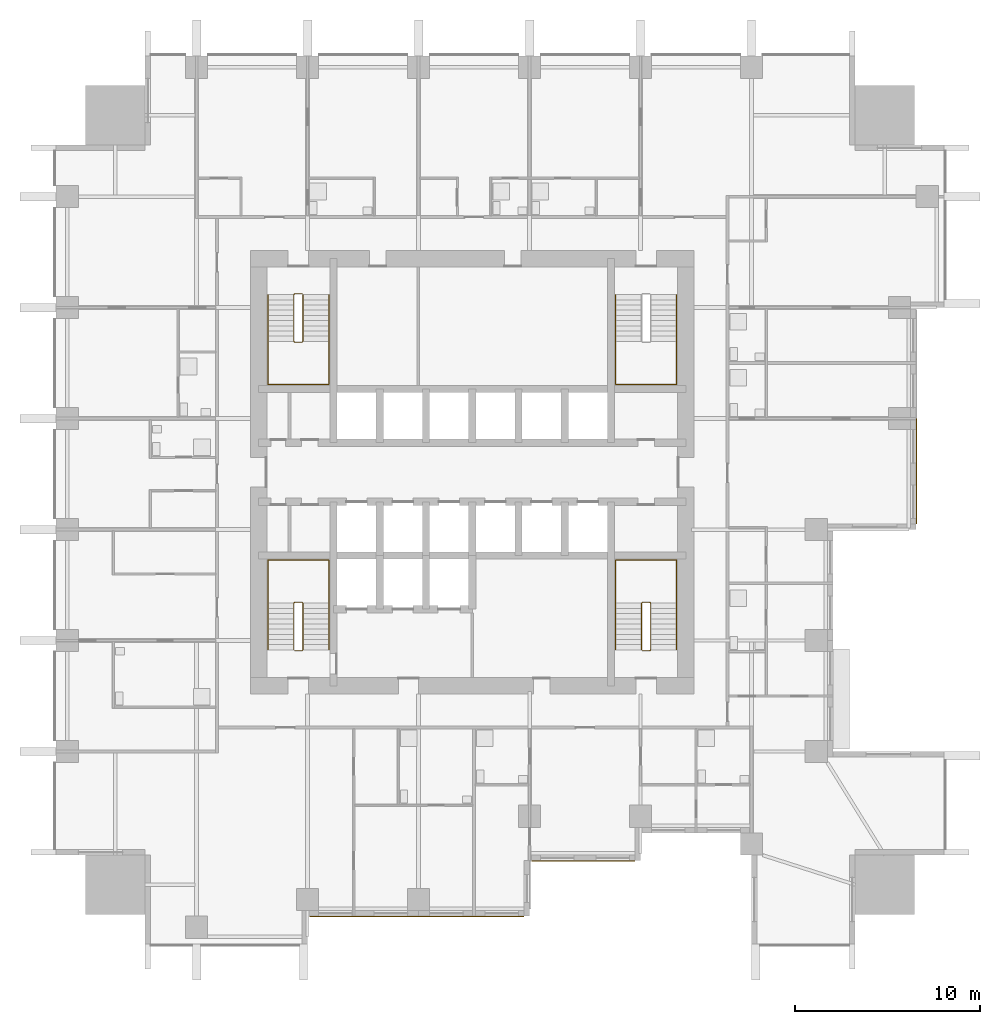
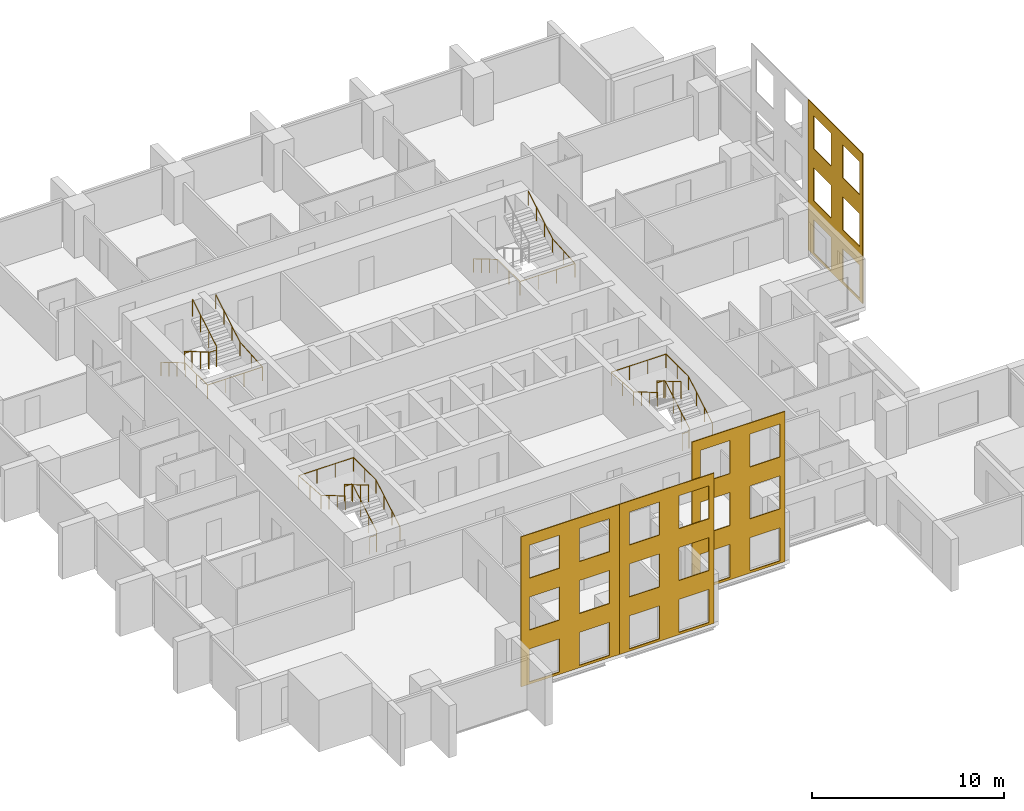
# One storey, part 9 of 11: 7 railings, 4 coverings.
"""IFC4 building model written with IfcOpenShell, lengths in metres."""

from ifc_helpers import new_model, si_unit, direction, frame, origin, origin_2d, place, context, subcontext, project, spatial, polyline, circle, outline, extrude, material, layer, layer_set, type_object, element, save


model = new_model("IFC4")

# Units and contexts
model_context = context("Model", 3, precision=1e-05, world=origin(), true_north=direction((0.0, 1.0)))
body_context = subcontext(model_context, "Body", "Model", "MODEL_VIEW")
ifc_project = project(units=[si_unit("LENGTHUNIT", "METRE"), si_unit("AREAUNIT", "SQUARE_METRE"), si_unit("VOLUMEUNIT", "CUBIC_METRE"), si_unit("PLANEANGLEUNIT", "RADIAN"), si_unit("MASSUNIT", "GRAM", prefix="KILO")], contexts=[model_context])

# Site, building, storey
site_placement = place(None, origin())
site = spatial("IfcSite", under=ifc_project, at=site_placement, CompositionType="ELEMENT")
building_placement = place(site_placement, origin())
building = spatial("IfcBuilding", under=site, at=building_placement, Name="Amberfall Residences", CompositionType="ELEMENT")
storey_placement = place(building_placement, frame((0.0, 0.0, 59.800048828125)))
storey = spatial("IfcBuildingStorey", under=building, at=storey_placement, Name="L16", CompositionType="ELEMENT", Elevation=59.800048828125)

# Coverings
ifc_material_1 = material(Name="Pale limestone cladding", Category="masonry")
ifc_layer = layer(ifc_material_1, 0.050048828125)
ifc_layer_set = layer_set([ifc_layer], Name="Limestone fascia 50")
covering_type = type_object("IfcCoveringType", Name="Limestone fascia 50", PredefinedType="CLADDING", material=ifc_layer_set)
covering_1_placement = place(storey_placement, frame((65.68994140625, 21.5, 9.550048828125), z_axis=(0.0, 1.0, 0.0), x_axis=(1.0, 0.0, 0.0)))
element("IfcCovering", 1, at=covering_1_placement, inside=storey, type_object=covering_type, Name="Pale limestone cladding L16-L18 S", PredefinedType="CLADDING", context=body_context, shape_type="SweptSolid", body=[
    extrude(outline(polyline([(0.0, 0.0), (5.91015625, 0.0), (5.91015625, 9.550048828125), (0.0, 9.550048828125), (0.0, 0.0)]), holes=[polyline([(0.510009765625, 7.300048828125), (2.31005859375, 7.300048828125), (2.31005859375, 9.400146484375), (0.510009765625, 9.400146484375), (0.510009765625, 7.300048828125)]), polyline([(3.510009765625, 7.300048828125), (5.31005859375, 7.300048828125), (5.31005859375, 9.400146484375), (3.510009765625, 9.400146484375), (3.510009765625, 7.300048828125)]), polyline([(0.510009765625, 4.0), (2.31005859375, 4.0), (2.31005859375, 6.10009765625), (0.510009765625, 6.10009765625), (0.510009765625, 4.0)]), polyline([(3.510009765625, 4.0), (5.31005859375, 4.0), (5.31005859375, 6.10009765625), (3.510009765625, 6.10009765625), (3.510009765625, 4.0)]), polyline([(0.510009765625, 0.7001953125), (2.31005859375, 0.7001953125), (2.31005859375, 2.800048828125), (0.510009765625, 2.800048828125), (0.510009765625, 0.7001953125)]), polyline([(3.510009765625, 0.7001953125), (5.31005859375, 0.7001953125), (5.31005859375, 2.800048828125), (3.510009765625, 2.800048828125), (3.510009765625, 0.7001953125)])]), origin(), (0.0, 0.0, -1.0), 0.050048828125),
])
covering_2_placement = place(storey_placement, frame((71.60009765625, 21.5, 9.550048828125), z_axis=(0.0, 1.0, 0.0), x_axis=(1.0, 0.0, 0.0)))
element("IfcCovering", 2, at=covering_2_placement, inside=storey, type_object=covering_type, Name="Pale limestone cladding L16-L18 S", PredefinedType="CLADDING", context=body_context, shape_type="SweptSolid", body=[
    extrude(outline(polyline([(0.0, 0.0), (5.699951171875, 0.0), (5.699951171875, 9.550048828125), (0.0, 9.550048828125), (0.0, 0.0)]), holes=[polyline([(0.599853515625, 7.300048828125), (2.39990234375, 7.300048828125), (2.39990234375, 9.400146484375), (0.599853515625, 9.400146484375), (0.599853515625, 7.300048828125)]), polyline([(3.599853515625, 7.300048828125), (5.39990234375, 7.300048828125), (5.39990234375, 9.400146484375), (3.599853515625, 9.400146484375), (3.599853515625, 7.300048828125)]), polyline([(0.599853515625, 4.0), (2.39990234375, 4.0), (2.39990234375, 6.10009765625), (0.599853515625, 6.10009765625), (0.599853515625, 4.0)]), polyline([(3.599853515625, 4.0), (5.39990234375, 4.0), (5.39990234375, 6.10009765625), (3.599853515625, 6.10009765625), (3.599853515625, 4.0)]), polyline([(0.599853515625, 0.7001953125), (2.39990234375, 0.7001953125), (2.39990234375, 2.800048828125), (0.599853515625, 2.800048828125), (0.599853515625, 0.7001953125)]), polyline([(3.599853515625, 0.7001953125), (5.39990234375, 0.7001953125), (5.39990234375, 2.800048828125), (3.599853515625, 2.800048828125), (3.599853515625, 0.7001953125)])]), origin(), (0.0, 0.0, -1.0), 0.050048828125),
])
covering_3_placement = place(storey_placement, frame((98.5, 42.699951171875, 9.550048828125), z_axis=(-1.0, 0.0, 0.0), x_axis=(0.0, 1.0, 0.0)))
element("IfcCovering", 3, at=covering_3_placement, inside=storey, type_object=covering_type, Name="Pale limestone cladding L16-L18 E", PredefinedType="CLADDING", context=body_context, shape_type="SweptSolid", body=[
    extrude(outline(polyline([(0.0, 0.0), (5.699951171875, 0.0), (5.699951171875, 9.550048828125), (0.0, 9.550048828125), (0.0, 0.0)]), holes=[polyline([(0.300048828125, 7.300048828125), (2.10009765625, 7.300048828125), (2.10009765625, 9.400146484375), (0.300048828125, 9.400146484375), (0.300048828125, 7.300048828125)]), polyline([(3.300048828125, 7.300048828125), (5.10009765625, 7.300048828125), (5.10009765625, 9.400146484375), (3.300048828125, 9.400146484375), (3.300048828125, 7.300048828125)]), polyline([(0.300048828125, 4.0), (2.10009765625, 4.0), (2.10009765625, 6.10009765625), (0.300048828125, 6.10009765625), (0.300048828125, 4.0)]), polyline([(3.300048828125, 4.0), (5.10009765625, 4.0), (5.10009765625, 6.10009765625), (3.300048828125, 6.10009765625), (3.300048828125, 4.0)]), polyline([(0.300048828125, 0.7001953125), (2.10009765625, 0.7001953125), (2.10009765625, 2.800048828125), (0.300048828125, 2.800048828125), (0.300048828125, 0.7001953125)]), polyline([(3.300048828125, 0.7001953125), (5.10009765625, 0.7001953125), (5.10009765625, 2.800048828125), (3.300048828125, 2.800048828125), (3.300048828125, 0.7001953125)])]), origin(), (0.0, 0.0, -1.0), 0.050048828125),
])
covering_4_placement = place(storey_placement, frame((77.68994140625, 24.5, 9.550048828125), z_axis=(0.0, 1.0, 0.0), x_axis=(1.0, 0.0, 0.0)))
element("IfcCovering", 4, at=covering_4_placement, inside=storey, type_object=covering_type, Name="Pale limestone cladding L16-L18 S", PredefinedType="CLADDING", context=body_context, shape_type="SweptSolid", body=[
    extrude(outline(polyline([(0.0, 0.0), (5.610107421875, 0.0), (5.610107421875, 9.550048828125), (0.0, 9.550048828125), (0.0, 0.0)]), holes=[polyline([(0.510009765625, 7.300048828125), (2.31005859375, 7.300048828125), (2.31005859375, 9.400146484375), (0.510009765625, 9.400146484375), (0.510009765625, 7.300048828125)]), polyline([(3.510009765625, 7.300048828125), (5.31005859375, 7.300048828125), (5.31005859375, 9.400146484375), (3.510009765625, 9.400146484375), (3.510009765625, 7.300048828125)]), polyline([(0.510009765625, 4.0), (2.31005859375, 4.0), (2.31005859375, 6.10009765625), (0.510009765625, 6.10009765625), (0.510009765625, 4.0)]), polyline([(3.510009765625, 4.0), (5.31005859375, 4.0), (5.31005859375, 6.10009765625), (3.510009765625, 6.10009765625), (3.510009765625, 4.0)]), polyline([(0.510009765625, 0.7001953125), (2.31005859375, 0.7001953125), (2.31005859375, 2.800048828125), (0.510009765625, 2.800048828125), (0.510009765625, 0.7001953125)]), polyline([(3.510009765625, 0.7001953125), (5.31005859375, 0.7001953125), (5.31005859375, 2.800048828125), (3.510009765625, 2.800048828125), (3.510009765625, 0.7001953125)])]), origin(), (0.0, 0.0, -1.0), 0.050048828125),
])

# Railings
ifc_material_2 = material(Name="Stainless steel 316", Category="steel")
railing_type_1 = type_object("IfcRailingType", Name="Stair guard 1100", PredefinedType="GUARDRAIL", material=ifc_material_2)
railing_1_placement = place(storey_placement, frame((64.89990234375, 35.85009765625, 0.0)))
element("IfcRailing", 5, at=railing_1_placement, inside=storey, type_object=railing_type_1, Name="L16 stair 1 guard", PredefinedType="GUARDRAIL", context=body_context, shape_type="SweptSolid", body=[
    extrude(circle(Radius=0.02392578125, at=origin_2d()), frame((0.0, 0.0, 1.076171875), z_axis=(1.0, 0.0, 0.0), x_axis=(0.0, 1.0, 0.0)), (0.0, 0.0, 1.0), 0.400146484375),
    extrude(circle(Radius=0.02392578125, at=origin_2d()), frame((0.400146484375, 0.0, 1.076171875), z_axis=(0.278810427259, 0.277450376394, 0.919394384522), x_axis=(-0.705375805398, 0.708833529934, 0.0)), (0.0, 0.0, 1.0), 0.179443359375),
    extrude(circle(Radius=0.02392578125, at=origin_2d()), frame((0.4501953125, 0.0498046875, 1.2412109375), z_axis=(0.0, 0.861560626758, 0.507654692109), x_axis=(-1.0, 0.0, 0.0)), (0.0, 0.0, 1.0), 2.925048828125),
    extrude(circle(Radius=0.02392578125, at=origin_2d()), frame((0.4501953125, 2.56982421875, 2.72607421875), z_axis=(-0.707106781187, 0.707106781187, 0.0), x_axis=(-0.707106781187, -0.707106781187, 0.0)), (0.0, 0.0, 1.0), 0.07080078125),
    extrude(circle(Radius=0.02392578125, at=origin_2d()), frame((0.400146484375, 2.619873046875, 2.72607421875), z_axis=(-1.0, 0.0, 0.0), x_axis=(0.0, -1.0, 0.0)), (0.0, 0.0, 1.0), 0.400146484375),
    extrude(circle(Radius=0.02392578125, at=origin_2d()), frame((0.0, 2.619873046875, 2.72607421875), z_axis=(-0.277450376394, -0.278810427259, 0.919394384522), x_axis=(0.708833529934, -0.705375805398, 0.0)), (0.0, 0.0, 1.0), 0.179443359375),
    extrude(circle(Radius=0.02392578125, at=origin_2d()), frame((-0.0498046875, 2.56982421875, 2.89111328125), z_axis=(0.0, -0.86152411907, 0.507716645641), x_axis=(1.0, 0.0, 0.0)), (0.0, 0.0, 1.0), 2.925048828125),
    extrude(circle(Radius=0.02099609375, at=origin_2d()), origin(), (0.0, 0.0, 1.0), 1.052001953125),
    extrude(circle(Radius=0.02099609375, at=origin_2d()), frame((0.400146484375, 0.0, 0.0)), (0.0, 0.0, 1.0), 1.052001953125),
    extrude(circle(Radius=0.02099609375, at=origin_2d()), frame((0.4501953125, 0.0498046875, 0.1650390625)), (0.0, 0.0, 1.0), 1.052001953125),
    extrude(circle(Radius=0.02099609375, at=origin_2d()), frame((0.4501953125, 0.889892578125, 0.659912109375)), (0.0, 0.0, 1.0), 1.052001953125),
    extrude(circle(Radius=0.02099609375, at=origin_2d()), frame((0.4501953125, 1.729736328125, 1.155029296875)), (0.0, 0.0, 1.0), 1.052001953125),
    extrude(circle(Radius=0.02099609375, at=origin_2d()), frame((0.4501953125, 2.56982421875, 1.64990234375)), (0.0, 0.0, 1.0), 1.052001953125),
    extrude(circle(Radius=0.02099609375, at=origin_2d()), frame((0.400146484375, 2.619873046875, 1.64990234375)), (0.0, 0.0, 1.0), 1.052001953125),
    extrude(circle(Radius=0.02099609375, at=origin_2d()), frame((0.0, 2.619873046875, 1.64990234375)), (0.0, 0.0, 1.0), 1.052001953125),
    extrude(circle(Radius=0.02099609375, at=origin_2d()), frame((-0.0498046875, 2.56982421875, 1.81494140625)), (0.0, 0.0, 1.0), 1.052001953125),
    extrude(circle(Radius=0.02099609375, at=origin_2d()), frame((-0.0498046875, 1.729736328125, 2.31005859375)), (0.0, 0.0, 1.0), 1.052001953125),
    extrude(circle(Radius=0.02099609375, at=origin_2d()), frame((-0.0498046875, 0.889892578125, 2.804931640625)), (0.0, 0.0, 1.0), 1.052001953125),
    extrude(circle(Radius=0.02099609375, at=origin_2d()), frame((-0.0498046875, 0.0498046875, 3.300048828125)), (0.0, 0.0, 1.0), 1.052001953125),
])
railing_2_placement = place(storey_placement, frame((83.699951171875, 35.85009765625, 0.0)))
element("IfcRailing", 6, at=railing_2_placement, inside=storey, type_object=railing_type_1, Name="L16 stair 2 guard", PredefinedType="GUARDRAIL", context=body_context, shape_type="SweptSolid", body=[
    extrude(circle(Radius=0.02392578125, at=origin_2d()), frame((0.0, 0.0, 1.076171875), z_axis=(1.0, 0.0, 0.0), x_axis=(0.0, 1.0, 0.0)), (0.0, 0.0, 1.0), 0.400146484375),
    extrude(circle(Radius=0.02392578125, at=origin_2d()), frame((0.400146484375, 0.0, 1.076171875), z_axis=(0.27755538755, 0.27755538755, 0.919742362667), x_axis=(-0.707106781187, 0.707106781187, 0.0)), (0.0, 0.0, 1.0), 0.179443359375),
    extrude(circle(Radius=0.02392578125, at=origin_2d()), frame((0.449951171875, 0.0498046875, 1.2412109375), z_axis=(0.0, 0.861560626758, 0.507654692109), x_axis=(-1.0, 0.0, 0.0)), (0.0, 0.0, 1.0), 2.925048828125),
    extrude(circle(Radius=0.02392578125, at=origin_2d()), frame((0.449951171875, 2.56982421875, 2.72607421875), z_axis=(-0.705375805398, 0.708833529934, 0.0), x_axis=(-0.708833529934, -0.705375805398, 0.0)), (0.0, 0.0, 1.0), 0.070556640625),
    extrude(circle(Radius=0.02392578125, at=origin_2d()), frame((0.400146484375, 2.619873046875, 2.72607421875), z_axis=(-1.0, 0.0, 0.0), x_axis=(0.0, -1.0, 0.0)), (0.0, 0.0, 1.0), 0.400146484375),
    extrude(circle(Radius=0.02392578125, at=origin_2d()), frame((0.0, 2.619873046875, 2.72607421875), z_axis=(-0.278705021027, -0.278705021027, 0.919046801044), x_axis=(0.707106781187, -0.707106781187, 0.0)), (0.0, 0.0, 1.0), 0.1796875),
    extrude(circle(Radius=0.02392578125, at=origin_2d()), frame((-0.050048828125, 2.56982421875, 2.89111328125), z_axis=(0.0, -0.86152411907, 0.507716645641), x_axis=(1.0, 0.0, 0.0)), (0.0, 0.0, 1.0), 2.925048828125),
    extrude(circle(Radius=0.02099609375, at=origin_2d()), origin(), (0.0, 0.0, 1.0), 1.052001953125),
    extrude(circle(Radius=0.02099609375, at=origin_2d()), frame((0.400146484375, 0.0, 0.0)), (0.0, 0.0, 1.0), 1.052001953125),
    extrude(circle(Radius=0.02099609375, at=origin_2d()), frame((0.449951171875, 0.0498046875, 0.1650390625)), (0.0, 0.0, 1.0), 1.052001953125),
    extrude(circle(Radius=0.02099609375, at=origin_2d()), frame((0.449951171875, 0.889892578125, 0.659912109375)), (0.0, 0.0, 1.0), 1.052001953125),
    extrude(circle(Radius=0.02099609375, at=origin_2d()), frame((0.449951171875, 1.729736328125, 1.155029296875)), (0.0, 0.0, 1.0), 1.052001953125),
    extrude(circle(Radius=0.02099609375, at=origin_2d()), frame((0.449951171875, 2.56982421875, 1.64990234375)), (0.0, 0.0, 1.0), 1.052001953125),
    extrude(circle(Radius=0.02099609375, at=origin_2d()), frame((0.400146484375, 2.619873046875, 1.64990234375)), (0.0, 0.0, 1.0), 1.052001953125),
    extrude(circle(Radius=0.02099609375, at=origin_2d()), frame((0.0, 2.619873046875, 1.64990234375)), (0.0, 0.0, 1.0), 1.052001953125),
    extrude(circle(Radius=0.02099609375, at=origin_2d()), frame((-0.050048828125, 2.56982421875, 1.81494140625)), (0.0, 0.0, 1.0), 1.052001953125),
    extrude(circle(Radius=0.02099609375, at=origin_2d()), frame((-0.050048828125, 1.729736328125, 2.31005859375)), (0.0, 0.0, 1.0), 1.052001953125),
    extrude(circle(Radius=0.02099609375, at=origin_2d()), frame((-0.050048828125, 0.889892578125, 2.804931640625)), (0.0, 0.0, 1.0), 1.052001953125),
    extrude(circle(Radius=0.02099609375, at=origin_2d()), frame((-0.050048828125, 0.0498046875, 3.300048828125)), (0.0, 0.0, 1.0), 1.052001953125),
])
railing_3_placement = place(storey_placement, frame((65.300048828125, 55.14990234375, 0.0)))
element("IfcRailing", 7, at=railing_3_placement, inside=storey, type_object=railing_type_1, Name="L16 stair 4 guard", PredefinedType="GUARDRAIL", context=body_context, shape_type="SweptSolid", body=[
    extrude(circle(Radius=0.02392578125, at=origin_2d()), frame((0.0, 0.0, 1.076171875), z_axis=(-1.0, 0.0, 0.0), x_axis=(0.0, -1.0, 0.0)), (0.0, 0.0, 1.0), 0.400146484375),
    extrude(circle(Radius=0.02392578125, at=origin_2d()), frame((-0.400146484375, 0.0, 1.076171875), z_axis=(-0.27755538755, -0.27755538755, 0.919742362667), x_axis=(0.707106781187, -0.707106781187, 0.0)), (0.0, 0.0, 1.0), 0.179443359375),
    extrude(circle(Radius=0.02392578125, at=origin_2d()), frame((-0.449951171875, -0.0498046875, 1.2412109375), z_axis=(0.0, -0.861560626758, 0.507654692109), x_axis=(1.0, 0.0, 0.0)), (0.0, 0.0, 1.0), 2.925048828125),
    extrude(circle(Radius=0.02392578125, at=origin_2d()), frame((-0.449951171875, -2.56982421875, 2.72607421875), z_axis=(0.705375805398, -0.708833529934, 0.0), x_axis=(0.708833529934, 0.705375805398, 0.0)), (0.0, 0.0, 1.0), 0.070556640625),
    extrude(circle(Radius=0.02392578125, at=origin_2d()), frame((-0.400146484375, -2.619873046875, 2.72607421875), z_axis=(1.0, 0.0, 0.0), x_axis=(0.0, 1.0, 0.0)), (0.0, 0.0, 1.0), 0.400146484375),
    extrude(circle(Radius=0.02392578125, at=origin_2d()), frame((0.0, -2.619873046875, 2.72607421875), z_axis=(0.278705021027, 0.278705021027, 0.919046801044), x_axis=(-0.707106781187, 0.707106781187, 0.0)), (0.0, 0.0, 1.0), 0.1796875),
    extrude(circle(Radius=0.02392578125, at=origin_2d()), frame((0.050048828125, -2.56982421875, 2.89111328125), z_axis=(0.0, 0.86152411907, 0.507716645641), x_axis=(-1.0, 0.0, 0.0)), (0.0, 0.0, 1.0), 2.925048828125),
    extrude(circle(Radius=0.02099609375, at=origin_2d()), origin(), (0.0, 0.0, 1.0), 1.052001953125),
    extrude(circle(Radius=0.02099609375, at=origin_2d()), frame((-0.400146484375, 0.0, 0.0)), (0.0, 0.0, 1.0), 1.052001953125),
    extrude(circle(Radius=0.02099609375, at=origin_2d()), frame((-0.449951171875, -0.0498046875, 0.1650390625)), (0.0, 0.0, 1.0), 1.052001953125),
    extrude(circle(Radius=0.02099609375, at=origin_2d()), frame((-0.449951171875, -0.889892578125, 0.659912109375)), (0.0, 0.0, 1.0), 1.052001953125),
    extrude(circle(Radius=0.02099609375, at=origin_2d()), frame((-0.449951171875, -1.729736328125, 1.155029296875)), (0.0, 0.0, 1.0), 1.052001953125),
    extrude(circle(Radius=0.02099609375, at=origin_2d()), frame((-0.449951171875, -2.56982421875, 1.64990234375)), (0.0, 0.0, 1.0), 1.052001953125),
    extrude(circle(Radius=0.02099609375, at=origin_2d()), frame((-0.400146484375, -2.619873046875, 1.64990234375)), (0.0, 0.0, 1.0), 1.052001953125),
    extrude(circle(Radius=0.02099609375, at=origin_2d()), frame((0.0, -2.619873046875, 1.64990234375)), (0.0, 0.0, 1.0), 1.052001953125),
    extrude(circle(Radius=0.02099609375, at=origin_2d()), frame((0.050048828125, -2.56982421875, 1.81494140625)), (0.0, 0.0, 1.0), 1.052001953125),
    extrude(circle(Radius=0.02099609375, at=origin_2d()), frame((0.050048828125, -1.729736328125, 2.31005859375)), (0.0, 0.0, 1.0), 1.052001953125),
    extrude(circle(Radius=0.02099609375, at=origin_2d()), frame((0.050048828125, -0.889892578125, 2.804931640625)), (0.0, 0.0, 1.0), 1.052001953125),
    extrude(circle(Radius=0.02099609375, at=origin_2d()), frame((0.050048828125, -0.0498046875, 3.300048828125)), (0.0, 0.0, 1.0), 1.052001953125),
])
railing_type_2 = type_object("IfcRailingType", Name="Stair handrail 900", PredefinedType="HANDRAIL", material=ifc_material_2)
railing_4_placement = place(storey_placement, frame((66.75, 35.89990234375, 0.1650390625)))
element("IfcRailing", 8, at=railing_4_placement, inside=storey, type_object=railing_type_2, Name="L16 stair 1 handrail", PredefinedType="HANDRAIL", context=body_context, shape_type="SweptSolid", body=[
    extrude(circle(Radius=0.02392578125, at=origin_2d()), frame((0.0, 0.0, 0.8759765625), z_axis=(0.0, 0.861560626758, 0.507654692109), x_axis=(-1.0, 0.0, 0.0)), (0.0, 0.0, 1.0), 2.925048828125),
    extrude(circle(Radius=0.02392578125, at=origin_2d()), frame((0.0, 2.52001953125, 2.36083984375), z_axis=(0.0, 1.0, 0.0), x_axis=(-1.0, 0.0, 0.0)), (0.0, 0.0, 1.0), 2.330078125),
    extrude(circle(Radius=0.02392578125, at=origin_2d()), frame((0.0, 4.85009765625, 2.36083984375), z_axis=(-1.0, 0.0, 0.0), x_axis=(0.0, -1.0, 0.0)), (0.0, 0.0, 1.0), 3.300048828125),
    extrude(circle(Radius=0.02392578125, at=origin_2d()), frame((-3.300048828125, 4.85009765625, 2.36083984375), z_axis=(0.0, -0.997500965899, 0.07065283455), x_axis=(1.0, 0.0, 0.0)), (0.0, 0.0, 1.0), 2.3359375),
    extrude(circle(Radius=0.02392578125, at=origin_2d()), frame((-3.300048828125, 2.52001953125, 2.52587890625), z_axis=(0.0, -0.86152411907, 0.507716645641), x_axis=(1.0, 0.0, 0.0)), (0.0, 0.0, 1.0), 2.925048828125),
    extrude(circle(Radius=0.02099609375, at=origin_2d()), origin(), (0.0, 0.0, 1.0), 0.851806640625),
    extrude(circle(Radius=0.02099609375, at=origin_2d()), frame((0.0, 0.840087890625, 0.494873046875)), (0.0, 0.0, 1.0), 0.851806640625),
    extrude(circle(Radius=0.02099609375, at=origin_2d()), frame((0.0, 1.679931640625, 0.989990234375)), (0.0, 0.0, 1.0), 0.851806640625),
    extrude(circle(Radius=0.02099609375, at=origin_2d()), frame((0.0, 2.52001953125, 1.48486328125)), (0.0, 0.0, 1.0), 0.851806640625),
    extrude(circle(Radius=0.02099609375, at=origin_2d()), frame((0.0, 3.68505859375, 1.48486328125)), (0.0, 0.0, 1.0), 0.851806640625),
    extrude(circle(Radius=0.02099609375, at=origin_2d()), frame((0.0, 4.85009765625, 1.48486328125)), (0.0, 0.0, 1.0), 0.851806640625),
    extrude(circle(Radius=0.02099609375, at=origin_2d()), frame((-1.10009765625, 4.85009765625, 1.48486328125)), (0.0, 0.0, 1.0), 0.851806640625),
    extrude(circle(Radius=0.02099609375, at=origin_2d()), frame((-2.199951171875, 4.85009765625, 1.48486328125)), (0.0, 0.0, 1.0), 0.851806640625),
    extrude(circle(Radius=0.02099609375, at=origin_2d()), frame((-3.300048828125, 4.85009765625, 1.48486328125)), (0.0, 0.0, 1.0), 0.851806640625),
    extrude(circle(Radius=0.02099609375, at=origin_2d()), frame((-3.300048828125, 3.68505859375, 1.5673828125)), (0.0, 0.0, 1.0), 0.851806640625),
    extrude(circle(Radius=0.02099609375, at=origin_2d()), frame((-3.300048828125, 2.52001953125, 1.64990234375)), (0.0, 0.0, 1.0), 0.851806640625),
    extrude(circle(Radius=0.02099609375, at=origin_2d()), frame((-3.300048828125, 1.679931640625, 2.14501953125)), (0.0, 0.0, 1.0), 0.851806640625),
    extrude(circle(Radius=0.02099609375, at=origin_2d()), frame((-3.300048828125, 0.840087890625, 2.639892578125)), (0.0, 0.0, 1.0), 0.851806640625),
    extrude(circle(Radius=0.02099609375, at=origin_2d()), frame((-3.300048828125, 0.0, 3.135009765625)), (0.0, 0.0, 1.0), 0.851806640625),
])
railing_5_placement = place(storey_placement, frame((85.550048828125, 35.89990234375, 0.1650390625)))
element("IfcRailing", 9, at=railing_5_placement, inside=storey, type_object=railing_type_2, Name="L16 stair 2 handrail", PredefinedType="HANDRAIL", context=body_context, shape_type="SweptSolid", body=[
    extrude(circle(Radius=0.02392578125, at=origin_2d()), frame((0.0, 0.0, 0.8759765625), z_axis=(0.0, 0.861560626758, 0.507654692109), x_axis=(-1.0, 0.0, 0.0)), (0.0, 0.0, 1.0), 2.925048828125),
    extrude(circle(Radius=0.02392578125, at=origin_2d()), frame((0.0, 2.52001953125, 2.36083984375), z_axis=(0.0, 1.0, 0.0), x_axis=(-1.0, 0.0, 0.0)), (0.0, 0.0, 1.0), 2.330078125),
    extrude(circle(Radius=0.02392578125, at=origin_2d()), frame((0.0, 4.85009765625, 2.36083984375), z_axis=(-1.0, 0.0, 0.0), x_axis=(0.0, -1.0, 0.0)), (0.0, 0.0, 1.0), 3.300048828125),
    extrude(circle(Radius=0.02392578125, at=origin_2d()), frame((-3.300048828125, 4.85009765625, 2.36083984375), z_axis=(0.0, -0.997500965899, 0.07065283455), x_axis=(1.0, 0.0, 0.0)), (0.0, 0.0, 1.0), 2.3359375),
    extrude(circle(Radius=0.02392578125, at=origin_2d()), frame((-3.300048828125, 2.52001953125, 2.52587890625), z_axis=(0.0, -0.86152411907, 0.507716645641), x_axis=(1.0, 0.0, 0.0)), (0.0, 0.0, 1.0), 2.925048828125),
    extrude(circle(Radius=0.02099609375, at=origin_2d()), origin(), (0.0, 0.0, 1.0), 0.851806640625),
    extrude(circle(Radius=0.02099609375, at=origin_2d()), frame((0.0, 0.840087890625, 0.494873046875)), (0.0, 0.0, 1.0), 0.851806640625),
    extrude(circle(Radius=0.02099609375, at=origin_2d()), frame((0.0, 1.679931640625, 0.989990234375)), (0.0, 0.0, 1.0), 0.851806640625),
    extrude(circle(Radius=0.02099609375, at=origin_2d()), frame((0.0, 2.52001953125, 1.48486328125)), (0.0, 0.0, 1.0), 0.851806640625),
    extrude(circle(Radius=0.02099609375, at=origin_2d()), frame((0.0, 3.68505859375, 1.48486328125)), (0.0, 0.0, 1.0), 0.851806640625),
    extrude(circle(Radius=0.02099609375, at=origin_2d()), frame((0.0, 4.85009765625, 1.48486328125)), (0.0, 0.0, 1.0), 0.851806640625),
    extrude(circle(Radius=0.02099609375, at=origin_2d()), frame((-1.10009765625, 4.85009765625, 1.48486328125)), (0.0, 0.0, 1.0), 0.851806640625),
    extrude(circle(Radius=0.02099609375, at=origin_2d()), frame((-2.199951171875, 4.85009765625, 1.48486328125)), (0.0, 0.0, 1.0), 0.851806640625),
    extrude(circle(Radius=0.02099609375, at=origin_2d()), frame((-3.300048828125, 4.85009765625, 1.48486328125)), (0.0, 0.0, 1.0), 0.851806640625),
    extrude(circle(Radius=0.02099609375, at=origin_2d()), frame((-3.300048828125, 3.68505859375, 1.5673828125)), (0.0, 0.0, 1.0), 0.851806640625),
    extrude(circle(Radius=0.02099609375, at=origin_2d()), frame((-3.300048828125, 2.52001953125, 1.64990234375)), (0.0, 0.0, 1.0), 0.851806640625),
    extrude(circle(Radius=0.02099609375, at=origin_2d()), frame((-3.300048828125, 1.679931640625, 2.14501953125)), (0.0, 0.0, 1.0), 0.851806640625),
    extrude(circle(Radius=0.02099609375, at=origin_2d()), frame((-3.300048828125, 0.840087890625, 2.639892578125)), (0.0, 0.0, 1.0), 0.851806640625),
    extrude(circle(Radius=0.02099609375, at=origin_2d()), frame((-3.300048828125, 0.0, 3.135009765625)), (0.0, 0.0, 1.0), 0.851806640625),
])
railing_6_placement = place(storey_placement, frame((82.25, 55.10009765625, 0.1650390625)))
element("IfcRailing", 10, at=railing_6_placement, inside=storey, type_object=railing_type_2, Name="L16 stair 3 handrail", PredefinedType="HANDRAIL", context=body_context, shape_type="SweptSolid", body=[
    extrude(circle(Radius=0.02392578125, at=origin_2d()), frame((0.0, 0.0, 0.8759765625), z_axis=(0.0, -0.861560626758, 0.507654692109), x_axis=(1.0, 0.0, 0.0)), (0.0, 0.0, 1.0), 2.925048828125),
    extrude(circle(Radius=0.02392578125, at=origin_2d()), frame((0.0, -2.52001953125, 2.36083984375), z_axis=(0.0, -1.0, 0.0), x_axis=(1.0, 0.0, 0.0)), (0.0, 0.0, 1.0), 2.330078125),
    extrude(circle(Radius=0.02392578125, at=origin_2d()), frame((0.0, -4.85009765625, 2.36083984375), z_axis=(1.0, 0.0, 0.0), x_axis=(0.0, 1.0, 0.0)), (0.0, 0.0, 1.0), 3.300048828125),
    extrude(circle(Radius=0.02392578125, at=origin_2d()), frame((3.300048828125, -4.85009765625, 2.36083984375), z_axis=(0.0, 0.997500965899, 0.07065283455), x_axis=(-1.0, 0.0, 0.0)), (0.0, 0.0, 1.0), 2.3359375),
    extrude(circle(Radius=0.02392578125, at=origin_2d()), frame((3.300048828125, -2.52001953125, 2.52587890625), z_axis=(0.0, 0.86152411907, 0.507716645641), x_axis=(-1.0, 0.0, 0.0)), (0.0, 0.0, 1.0), 2.925048828125),
    extrude(circle(Radius=0.02099609375, at=origin_2d()), origin(), (0.0, 0.0, 1.0), 0.851806640625),
    extrude(circle(Radius=0.02099609375, at=origin_2d()), frame((0.0, -0.840087890625, 0.494873046875)), (0.0, 0.0, 1.0), 0.851806640625),
    extrude(circle(Radius=0.02099609375, at=origin_2d()), frame((0.0, -1.679931640625, 0.989990234375)), (0.0, 0.0, 1.0), 0.851806640625),
    extrude(circle(Radius=0.02099609375, at=origin_2d()), frame((0.0, -2.52001953125, 1.48486328125)), (0.0, 0.0, 1.0), 0.851806640625),
    extrude(circle(Radius=0.02099609375, at=origin_2d()), frame((0.0, -3.68505859375, 1.48486328125)), (0.0, 0.0, 1.0), 0.851806640625),
    extrude(circle(Radius=0.02099609375, at=origin_2d()), frame((0.0, -4.85009765625, 1.48486328125)), (0.0, 0.0, 1.0), 0.851806640625),
    extrude(circle(Radius=0.02099609375, at=origin_2d()), frame((1.10009765625, -4.85009765625, 1.48486328125)), (0.0, 0.0, 1.0), 0.851806640625),
    extrude(circle(Radius=0.02099609375, at=origin_2d()), frame((2.199951171875, -4.85009765625, 1.48486328125)), (0.0, 0.0, 1.0), 0.851806640625),
    extrude(circle(Radius=0.02099609375, at=origin_2d()), frame((3.300048828125, -4.85009765625, 1.48486328125)), (0.0, 0.0, 1.0), 0.851806640625),
    extrude(circle(Radius=0.02099609375, at=origin_2d()), frame((3.300048828125, -3.68505859375, 1.5673828125)), (0.0, 0.0, 1.0), 0.851806640625),
    extrude(circle(Radius=0.02099609375, at=origin_2d()), frame((3.300048828125, -2.52001953125, 1.64990234375)), (0.0, 0.0, 1.0), 0.851806640625),
    extrude(circle(Radius=0.02099609375, at=origin_2d()), frame((3.300048828125, -1.679931640625, 2.14501953125)), (0.0, 0.0, 1.0), 0.851806640625),
    extrude(circle(Radius=0.02099609375, at=origin_2d()), frame((3.300048828125, -0.840087890625, 2.639892578125)), (0.0, 0.0, 1.0), 0.851806640625),
    extrude(circle(Radius=0.02099609375, at=origin_2d()), frame((3.300048828125, 0.0, 3.135009765625)), (0.0, 0.0, 1.0), 0.851806640625),
])
railing_7_placement = place(storey_placement, frame((63.449951171875, 55.10009765625, 0.1650390625)))
element("IfcRailing", 11, at=railing_7_placement, inside=storey, type_object=railing_type_2, Name="L16 stair 4 handrail", PredefinedType="HANDRAIL", context=body_context, shape_type="SweptSolid", body=[
    extrude(circle(Radius=0.02392578125, at=origin_2d()), frame((0.0, 0.0, 0.8759765625), z_axis=(0.0, -0.861560626758, 0.507654692109), x_axis=(1.0, 0.0, 0.0)), (0.0, 0.0, 1.0), 2.925048828125),
    extrude(circle(Radius=0.02392578125, at=origin_2d()), frame((0.0, -2.52001953125, 2.36083984375), z_axis=(0.0, -1.0, 0.0), x_axis=(1.0, 0.0, 0.0)), (0.0, 0.0, 1.0), 2.330078125),
    extrude(circle(Radius=0.02392578125, at=origin_2d()), frame((0.0, -4.85009765625, 2.36083984375), z_axis=(1.0, 0.0, 0.0), x_axis=(0.0, 1.0, 0.0)), (0.0, 0.0, 1.0), 3.300048828125),
    extrude(circle(Radius=0.02392578125, at=origin_2d()), frame((3.300048828125, -4.85009765625, 2.36083984375), z_axis=(0.0, 0.997500965899, 0.07065283455), x_axis=(-1.0, 0.0, 0.0)), (0.0, 0.0, 1.0), 2.3359375),
    extrude(circle(Radius=0.02392578125, at=origin_2d()), frame((3.300048828125, -2.52001953125, 2.52587890625), z_axis=(0.0, 0.86152411907, 0.507716645641), x_axis=(-1.0, 0.0, 0.0)), (0.0, 0.0, 1.0), 2.925048828125),
    extrude(circle(Radius=0.02099609375, at=origin_2d()), origin(), (0.0, 0.0, 1.0), 0.851806640625),
    extrude(circle(Radius=0.02099609375, at=origin_2d()), frame((0.0, -0.840087890625, 0.494873046875)), (0.0, 0.0, 1.0), 0.851806640625),
    extrude(circle(Radius=0.02099609375, at=origin_2d()), frame((0.0, -1.679931640625, 0.989990234375)), (0.0, 0.0, 1.0), 0.851806640625),
    extrude(circle(Radius=0.02099609375, at=origin_2d()), frame((0.0, -2.52001953125, 1.48486328125)), (0.0, 0.0, 1.0), 0.851806640625),
    extrude(circle(Radius=0.02099609375, at=origin_2d()), frame((0.0, -3.68505859375, 1.48486328125)), (0.0, 0.0, 1.0), 0.851806640625),
    extrude(circle(Radius=0.02099609375, at=origin_2d()), frame((0.0, -4.85009765625, 1.48486328125)), (0.0, 0.0, 1.0), 0.851806640625),
    extrude(circle(Radius=0.02099609375, at=origin_2d()), frame((1.10009765625, -4.85009765625, 1.48486328125)), (0.0, 0.0, 1.0), 0.851806640625),
    extrude(circle(Radius=0.02099609375, at=origin_2d()), frame((2.199951171875, -4.85009765625, 1.48486328125)), (0.0, 0.0, 1.0), 0.851806640625),
    extrude(circle(Radius=0.02099609375, at=origin_2d()), frame((3.300048828125, -4.85009765625, 1.48486328125)), (0.0, 0.0, 1.0), 0.851806640625),
    extrude(circle(Radius=0.02099609375, at=origin_2d()), frame((3.300048828125, -3.68505859375, 1.5673828125)), (0.0, 0.0, 1.0), 0.851806640625),
    extrude(circle(Radius=0.02099609375, at=origin_2d()), frame((3.300048828125, -2.52001953125, 1.64990234375)), (0.0, 0.0, 1.0), 0.851806640625),
    extrude(circle(Radius=0.02099609375, at=origin_2d()), frame((3.300048828125, -1.679931640625, 2.14501953125)), (0.0, 0.0, 1.0), 0.851806640625),
    extrude(circle(Radius=0.02099609375, at=origin_2d()), frame((3.300048828125, -0.840087890625, 2.639892578125)), (0.0, 0.0, 1.0), 0.851806640625),
    extrude(circle(Radius=0.02099609375, at=origin_2d()), frame((3.300048828125, 0.0, 3.135009765625)), (0.0, 0.0, 1.0), 0.851806640625),
])

save(model, "model.ifc")
